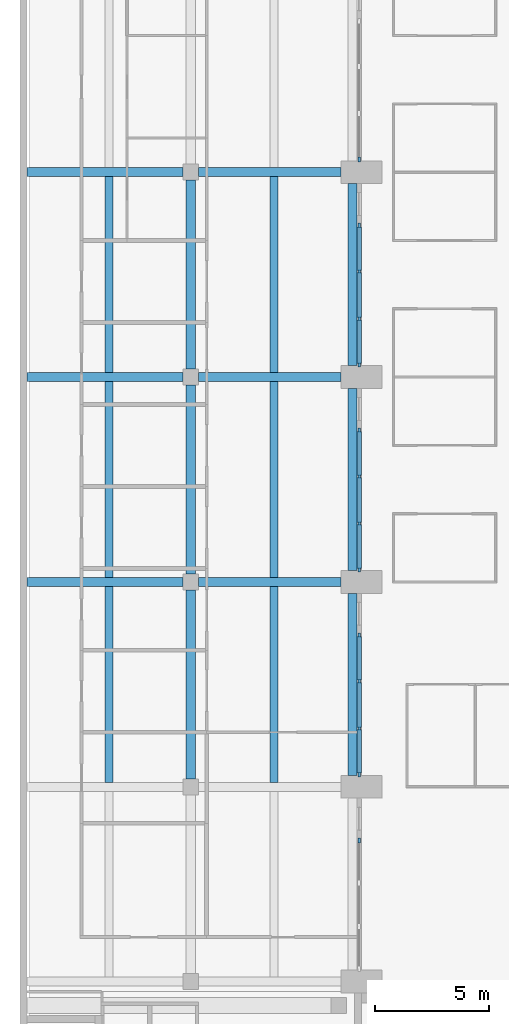
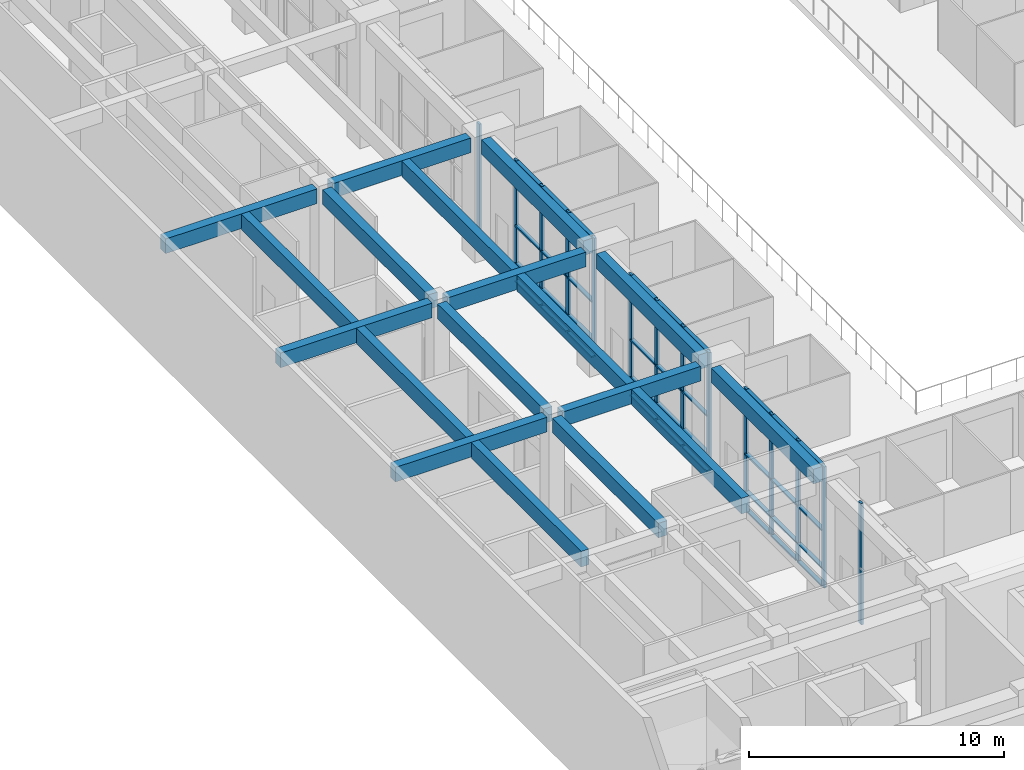
# One storey, part 13 of 51: 50 members, 18 beams, 5 elements without a shape of their own.
"""IFC4 building model written with IfcOpenShell, lengths in metres."""

from ifc_helpers import new_model, si_unit, direction, frame, origin, origin_2d, place, context, subcontext, project, spatial, rectangle, extrude, material, material_profile, profile_set, type_object, element, aggregate, save


model = new_model("IFC4")

# Units and contexts
model_context = context("Model", 3, precision=1e-05, world=origin(), true_north=direction((0.0, 1.0)))
body_context = subcontext(model_context, "Body", "Model", "MODEL_VIEW")
ifc_project = project(units=[si_unit("LENGTHUNIT", "METRE"), si_unit("AREAUNIT", "SQUARE_METRE"), si_unit("VOLUMEUNIT", "CUBIC_METRE"), si_unit("PLANEANGLEUNIT", "RADIAN"), si_unit("MASSUNIT", "GRAM", prefix="KILO")], contexts=[model_context])

# Site, building, storey
site_placement = place(None, origin())
site = spatial("IfcSite", under=ifc_project, at=site_placement, CompositionType="ELEMENT")
building_placement = place(site_placement, origin())
building = spatial("IfcBuilding", under=site, at=building_placement, Name="Elmora Arch Market Hall", CompositionType="ELEMENT")
storey_placement = place(building_placement, origin())
storey = spatial("IfcBuildingStorey", under=building, at=storey_placement, Name="L00", CompositionType="ELEMENT", Elevation=0.0)

# Curtain wall, member
ifc_material_1 = material(Name="Aluminium", Category="aluminium")
curtain_wall_type = type_object("IfcCurtainWallType", Name="Shopfront curtain wall", PredefinedType="NOTDEFINED", material=ifc_material_1)
curtain_wall_1_placement = place(storey_placement, origin())
curtain_wall_1 = element("IfcCurtainWall", 1, at=curtain_wall_1_placement, inside=storey, type_object=curtain_wall_type, Name="Shopfront W 1", PredefinedType="NOTDEFINED")
ifc_material_2 = material(Name="Aluminium", Category="aluminium")
ifc_material_profile_1 = material_profile(ifc_material_2, rectangle(XDim=0.10009765625, YDim=0.219970703125, at=origin_2d()), Name="AL 100x220")
ifc_profile_set_1 = profile_set([ifc_material_profile_1], Name="Aluminium")
member_type_1 = type_object("IfcMemberType", Name="Mullion 100x220", PredefinedType="MULLION", material=ifc_profile_set_1)
member_1_placement = place(storey_placement, frame((14.89990234375, 33.64990234375, 0.0), z_axis=(0.0, 0.0, 1.0), x_axis=(-1.0, 0.0, 0.0)))
member_1 = element("IfcMember", 2, at=member_1_placement, type_object=member_type_1, Name="CW3 mullion 4", PredefinedType="MULLION", context=body_context, shape_type="SweptSolid", body=[
    extrude(rectangle(XDim=0.10009765625, YDim=0.219970703125, at=origin_2d()), origin(), (0.0, 0.0, 1.0), 5.800048828125),
])
aggregate(curtain_wall_1, [member_1])

# Curtain wall, members
curtain_wall_2_placement = place(storey_placement, origin())
curtain_wall_2 = element("IfcCurtainWall", 3, at=curtain_wall_2_placement, inside=storey, type_object=curtain_wall_type, Name="Shopfront W 2", PredefinedType="NOTDEFINED")
member_2_placement = place(storey_placement, frame((14.89990234375, 36.550048828125, 0.0), z_axis=(0.0, 0.0, 1.0), x_axis=(-1.0, 0.0, 0.0)))
member_2 = element("IfcMember", 4, at=member_2_placement, type_object=member_type_1, Name="CW3 mullion 1", PredefinedType="MULLION", context=body_context, shape_type="SweptSolid", body=[
    extrude(rectangle(XDim=0.10009765625, YDim=0.219970703125, at=origin_2d()), origin(), (0.0, 0.0, 1.0), 5.800048828125),
])
member_3_placement = place(storey_placement, frame((14.89990234375, 38.566650390625, 0.0), z_axis=(0.0, 0.0, 1.0), x_axis=(-1.0, 0.0, 0.0)))
member_3 = element("IfcMember", 5, at=member_3_placement, type_object=member_type_1, Name="CW3 mullion 2", PredefinedType="MULLION", context=body_context, shape_type="SweptSolid", body=[
    extrude(rectangle(XDim=0.10009765625, YDim=0.219970703125, at=origin_2d()), origin(), (0.0, 0.0, 1.0), 5.800048828125),
])
member_4_placement = place(storey_placement, frame((14.89990234375, 40.63330078125, 0.0), z_axis=(0.0, 0.0, 1.0), x_axis=(-1.0, 0.0, 0.0)))
member_4 = element("IfcMember", 6, at=member_4_placement, type_object=member_type_1, Name="CW3 mullion 3", PredefinedType="MULLION", context=body_context, shape_type="SweptSolid", body=[
    extrude(rectangle(XDim=0.10009765625, YDim=0.219970703125, at=origin_2d()), origin(), (0.0, 0.0, 1.0), 5.800048828125),
])
member_5_placement = place(storey_placement, frame((14.89990234375, 42.64990234375, 0.0), z_axis=(0.0, 0.0, 1.0), x_axis=(-1.0, 0.0, 0.0)))
member_5 = element("IfcMember", 7, at=member_5_placement, type_object=member_type_1, Name="CW3 mullion 4", PredefinedType="MULLION", context=body_context, shape_type="SweptSolid", body=[
    extrude(rectangle(XDim=0.10009765625, YDim=0.219970703125, at=origin_2d()), origin(), (0.0, 0.0, 1.0), 5.800048828125),
])

curtain_wall_3_placement = place(storey_placement, origin())
curtain_wall_3 = element("IfcCurtainWall", 8, at=curtain_wall_3_placement, inside=storey, type_object=curtain_wall_type, Name="Shopfront W 3", PredefinedType="NOTDEFINED")
member_6_placement = place(storey_placement, frame((14.89990234375, 45.550048828125, 0.0), z_axis=(0.0, 0.0, 1.0), x_axis=(-1.0, 0.0, 0.0)))
member_6 = element("IfcMember", 9, at=member_6_placement, type_object=member_type_1, Name="CW3 mullion 1", PredefinedType="MULLION", context=body_context, shape_type="SweptSolid", body=[
    extrude(rectangle(XDim=0.10009765625, YDim=0.219970703125, at=origin_2d()), origin(), (0.0, 0.0, 1.0), 5.800048828125),
])
member_7_placement = place(storey_placement, frame((14.89990234375, 47.566650390625, 0.0), z_axis=(0.0, 0.0, 1.0), x_axis=(-1.0, 0.0, 0.0)))
member_7 = element("IfcMember", 10, at=member_7_placement, type_object=member_type_1, Name="CW3 mullion 2", PredefinedType="MULLION", context=body_context, shape_type="SweptSolid", body=[
    extrude(rectangle(XDim=0.10009765625, YDim=0.219970703125, at=origin_2d()), origin(), (0.0, 0.0, 1.0), 5.800048828125),
])
member_8_placement = place(storey_placement, frame((14.89990234375, 49.63330078125, 0.0), z_axis=(0.0, 0.0, 1.0), x_axis=(-1.0, 0.0, 0.0)))
member_8 = element("IfcMember", 11, at=member_8_placement, type_object=member_type_1, Name="CW3 mullion 3", PredefinedType="MULLION", context=body_context, shape_type="SweptSolid", body=[
    extrude(rectangle(XDim=0.10009765625, YDim=0.219970703125, at=origin_2d()), origin(), (0.0, 0.0, 1.0), 5.800048828125),
])
member_9_placement = place(storey_placement, frame((14.89990234375, 51.64990234375, 0.0), z_axis=(0.0, 0.0, 1.0), x_axis=(-1.0, 0.0, 0.0)))
member_9 = element("IfcMember", 12, at=member_9_placement, type_object=member_type_1, Name="CW3 mullion 4", PredefinedType="MULLION", context=body_context, shape_type="SweptSolid", body=[
    extrude(rectangle(XDim=0.10009765625, YDim=0.219970703125, at=origin_2d()), origin(), (0.0, 0.0, 1.0), 5.800048828125),
])

curtain_wall_4_placement = place(storey_placement, origin())
curtain_wall_4 = element("IfcCurtainWall", 13, at=curtain_wall_4_placement, inside=storey, type_object=curtain_wall_type, Name="Shopfront W 4", PredefinedType="NOTDEFINED")
member_10_placement = place(storey_placement, frame((14.89990234375, 54.550048828125, 0.0), z_axis=(0.0, 0.0, 1.0), x_axis=(-1.0, 0.0, 0.0)))
member_10 = element("IfcMember", 14, at=member_10_placement, type_object=member_type_1, Name="CW3 mullion 1", PredefinedType="MULLION", context=body_context, shape_type="SweptSolid", body=[
    extrude(rectangle(XDim=0.10009765625, YDim=0.219970703125, at=origin_2d()), origin(), (0.0, 0.0, 1.0), 5.800048828125),
])
member_11_placement = place(storey_placement, frame((14.89990234375, 56.566650390625, 0.0), z_axis=(0.0, 0.0, 1.0), x_axis=(-1.0, 0.0, 0.0)))
member_11 = element("IfcMember", 15, at=member_11_placement, type_object=member_type_1, Name="CW3 mullion 2", PredefinedType="MULLION", context=body_context, shape_type="SweptSolid", body=[
    extrude(rectangle(XDim=0.10009765625, YDim=0.219970703125, at=origin_2d()), origin(), (0.0, 0.0, 1.0), 5.800048828125),
])
member_12_placement = place(storey_placement, frame((14.89990234375, 58.63330078125, 0.0), z_axis=(0.0, 0.0, 1.0), x_axis=(-1.0, 0.0, 0.0)))
member_12 = element("IfcMember", 16, at=member_12_placement, type_object=member_type_1, Name="CW3 mullion 3", PredefinedType="MULLION", context=body_context, shape_type="SweptSolid", body=[
    extrude(rectangle(XDim=0.10009765625, YDim=0.219970703125, at=origin_2d()), origin(), (0.0, 0.0, 1.0), 5.800048828125),
])
member_13_placement = place(storey_placement, frame((14.89990234375, 60.64990234375, 0.0), z_axis=(0.0, 0.0, 1.0), x_axis=(-1.0, 0.0, 0.0)))
member_13 = element("IfcMember", 17, at=member_13_placement, type_object=member_type_1, Name="CW3 mullion 4", PredefinedType="MULLION", context=body_context, shape_type="SweptSolid", body=[
    extrude(rectangle(XDim=0.10009765625, YDim=0.219970703125, at=origin_2d()), origin(), (0.0, 0.0, 1.0), 5.800048828125),
])

# Curtain wall, member
curtain_wall_5_placement = place(storey_placement, origin())
curtain_wall_5 = element("IfcCurtainWall", 18, at=curtain_wall_5_placement, inside=storey, type_object=curtain_wall_type, Name="Shopfront W 5", PredefinedType="NOTDEFINED")
member_14_placement = place(storey_placement, frame((14.89990234375, 63.550048828125, 0.0), z_axis=(0.0, 0.0, 1.0), x_axis=(-1.0, 0.0, 0.0)))
member_14 = element("IfcMember", 19, at=member_14_placement, type_object=member_type_1, Name="CW3 mullion 1", PredefinedType="MULLION", context=body_context, shape_type="SweptSolid", body=[
    extrude(rectangle(XDim=0.10009765625, YDim=0.219970703125, at=origin_2d()), origin(), (0.0, 0.0, 1.0), 5.800048828125),
])
aggregate(curtain_wall_5, [member_14])

# Member
ifc_material_3 = material(Name="Aluminium", Category="aluminium")
ifc_material_profile_2 = material_profile(ifc_material_3, rectangle(XDim=0.179931640625, YDim=0.074951171875, at=origin_2d()), Name="AL 180x75")
ifc_profile_set_2 = profile_set([ifc_material_profile_2], Name="Aluminium")
member_type_2 = type_object("IfcMemberType", Name="Transom 180x75", PredefinedType="USERDEFINED", material=ifc_profile_set_2)
member_15_placement = place(storey_placement, frame((14.89990234375, 36.60009765625, 0.03759765625), z_axis=(0.0, 1.0, 0.0), x_axis=(-1.0, 0.0, 0.0)))
member_15 = element("IfcMember", 20, at=member_15_placement, type_object=member_type_2, Name="CW3 transom 1.1", ObjectType="TRANSOM", PredefinedType="USERDEFINED", context=body_context, shape_type="SweptSolid", body=[
    extrude(rectangle(XDim=0.179931640625, YDim=0.074951171875, at=origin_2d()), origin(), (0.0, 0.0, 1.0), 1.91650390625),
])

member_16_placement = place(storey_placement, frame((14.89990234375, 36.60009765625, 0.89990234375), z_axis=(0.0, 1.0, 0.0), x_axis=(-1.0, 0.0, 0.0)))
member_16 = element("IfcMember", 21, at=member_16_placement, type_object=member_type_2, Name="CW3 transom 1.2", ObjectType="TRANSOM", PredefinedType="USERDEFINED", context=body_context, shape_type="SweptSolid", body=[
    extrude(rectangle(XDim=0.179931640625, YDim=0.074951171875, at=origin_2d()), origin(), (0.0, 0.0, 1.0), 1.91650390625),
])

member_17_placement = place(storey_placement, frame((14.89990234375, 36.60009765625, 2.699951171875), z_axis=(0.0, 1.0, 0.0), x_axis=(-1.0, 0.0, 0.0)))
member_17 = element("IfcMember", 22, at=member_17_placement, type_object=member_type_2, Name="CW3 transom 1.3", ObjectType="TRANSOM", PredefinedType="USERDEFINED", context=body_context, shape_type="SweptSolid", body=[
    extrude(rectangle(XDim=0.179931640625, YDim=0.074951171875, at=origin_2d()), origin(), (0.0, 0.0, 1.0), 1.91650390625),
])

member_18_placement = place(storey_placement, frame((14.89990234375, 36.60009765625, 5.762451171875), z_axis=(0.0, 1.0, 0.0), x_axis=(-1.0, 0.0, 0.0)))
member_18 = element("IfcMember", 23, at=member_18_placement, type_object=member_type_2, Name="CW3 transom 1.4", ObjectType="TRANSOM", PredefinedType="USERDEFINED", context=body_context, shape_type="SweptSolid", body=[
    extrude(rectangle(XDim=0.179931640625, YDim=0.074951171875, at=origin_2d()), origin(), (0.0, 0.0, 1.0), 1.91650390625),
])

member_19_placement = place(storey_placement, frame((14.89990234375, 38.61669921875, 0.03759765625), z_axis=(0.0, 1.0, 0.0), x_axis=(-1.0, 0.0, 0.0)))
member_19 = element("IfcMember", 24, at=member_19_placement, type_object=member_type_2, Name="CW3 transom 2.1", ObjectType="TRANSOM", PredefinedType="USERDEFINED", context=body_context, shape_type="SweptSolid", body=[
    extrude(rectangle(XDim=0.179931640625, YDim=0.074951171875, at=origin_2d()), origin(), (0.0, 0.0, 1.0), 1.966552734375),
])

member_20_placement = place(storey_placement, frame((14.89990234375, 38.61669921875, 0.89990234375), z_axis=(0.0, 1.0, 0.0), x_axis=(-1.0, 0.0, 0.0)))
member_20 = element("IfcMember", 25, at=member_20_placement, type_object=member_type_2, Name="CW3 transom 2.2", ObjectType="TRANSOM", PredefinedType="USERDEFINED", context=body_context, shape_type="SweptSolid", body=[
    extrude(rectangle(XDim=0.179931640625, YDim=0.074951171875, at=origin_2d()), origin(), (0.0, 0.0, 1.0), 1.966552734375),
])

member_21_placement = place(storey_placement, frame((14.89990234375, 38.61669921875, 2.699951171875), z_axis=(0.0, 1.0, 0.0), x_axis=(-1.0, 0.0, 0.0)))
member_21 = element("IfcMember", 26, at=member_21_placement, type_object=member_type_2, Name="CW3 transom 2.3", ObjectType="TRANSOM", PredefinedType="USERDEFINED", context=body_context, shape_type="SweptSolid", body=[
    extrude(rectangle(XDim=0.179931640625, YDim=0.074951171875, at=origin_2d()), origin(), (0.0, 0.0, 1.0), 1.966552734375),
])

member_22_placement = place(storey_placement, frame((14.89990234375, 38.61669921875, 5.762451171875), z_axis=(0.0, 1.0, 0.0), x_axis=(-1.0, 0.0, 0.0)))
member_22 = element("IfcMember", 27, at=member_22_placement, type_object=member_type_2, Name="CW3 transom 2.4", ObjectType="TRANSOM", PredefinedType="USERDEFINED", context=body_context, shape_type="SweptSolid", body=[
    extrude(rectangle(XDim=0.179931640625, YDim=0.074951171875, at=origin_2d()), origin(), (0.0, 0.0, 1.0), 1.966552734375),
])

member_23_placement = place(storey_placement, frame((14.89990234375, 40.683349609375, 0.03759765625), z_axis=(0.0, 1.0, 0.0), x_axis=(-1.0, 0.0, 0.0)))
member_23 = element("IfcMember", 28, at=member_23_placement, type_object=member_type_2, Name="CW3 transom 3.1", ObjectType="TRANSOM", PredefinedType="USERDEFINED", context=body_context, shape_type="SweptSolid", body=[
    extrude(rectangle(XDim=0.179931640625, YDim=0.074951171875, at=origin_2d()), origin(), (0.0, 0.0, 1.0), 1.916748046875),
])

member_24_placement = place(storey_placement, frame((14.89990234375, 40.683349609375, 0.89990234375), z_axis=(0.0, 1.0, 0.0), x_axis=(-1.0, 0.0, 0.0)))
member_24 = element("IfcMember", 29, at=member_24_placement, type_object=member_type_2, Name="CW3 transom 3.2", ObjectType="TRANSOM", PredefinedType="USERDEFINED", context=body_context, shape_type="SweptSolid", body=[
    extrude(rectangle(XDim=0.179931640625, YDim=0.074951171875, at=origin_2d()), origin(), (0.0, 0.0, 1.0), 1.916748046875),
])

member_25_placement = place(storey_placement, frame((14.89990234375, 40.683349609375, 2.699951171875), z_axis=(0.0, 1.0, 0.0), x_axis=(-1.0, 0.0, 0.0)))
member_25 = element("IfcMember", 30, at=member_25_placement, type_object=member_type_2, Name="CW3 transom 3.3", ObjectType="TRANSOM", PredefinedType="USERDEFINED", context=body_context, shape_type="SweptSolid", body=[
    extrude(rectangle(XDim=0.179931640625, YDim=0.074951171875, at=origin_2d()), origin(), (0.0, 0.0, 1.0), 1.916748046875),
])

member_26_placement = place(storey_placement, frame((14.89990234375, 40.683349609375, 5.762451171875), z_axis=(0.0, 1.0, 0.0), x_axis=(-1.0, 0.0, 0.0)))
member_26 = element("IfcMember", 31, at=member_26_placement, type_object=member_type_2, Name="CW3 transom 3.4", ObjectType="TRANSOM", PredefinedType="USERDEFINED", context=body_context, shape_type="SweptSolid", body=[
    extrude(rectangle(XDim=0.179931640625, YDim=0.074951171875, at=origin_2d()), origin(), (0.0, 0.0, 1.0), 1.916748046875),
])

aggregate(curtain_wall_2, [member_2, member_3, member_4, member_5, member_15, member_16, member_17, member_18, member_19, member_20, member_21, member_22, member_23, member_24, member_25, member_26])

member_27_placement = place(storey_placement, frame((14.89990234375, 45.60009765625, 0.03759765625), z_axis=(0.0, 1.0, 0.0), x_axis=(-1.0, 0.0, 0.0)))
member_27 = element("IfcMember", 32, at=member_27_placement, type_object=member_type_2, Name="CW3 transom 1.1", ObjectType="TRANSOM", PredefinedType="USERDEFINED", context=body_context, shape_type="SweptSolid", body=[
    extrude(rectangle(XDim=0.179931640625, YDim=0.074951171875, at=origin_2d()), origin(), (0.0, 0.0, 1.0), 1.91650390625),
])

member_28_placement = place(storey_placement, frame((14.89990234375, 45.60009765625, 0.89990234375), z_axis=(0.0, 1.0, 0.0), x_axis=(-1.0, 0.0, 0.0)))
member_28 = element("IfcMember", 33, at=member_28_placement, type_object=member_type_2, Name="CW3 transom 1.2", ObjectType="TRANSOM", PredefinedType="USERDEFINED", context=body_context, shape_type="SweptSolid", body=[
    extrude(rectangle(XDim=0.179931640625, YDim=0.074951171875, at=origin_2d()), origin(), (0.0, 0.0, 1.0), 1.91650390625),
])

member_29_placement = place(storey_placement, frame((14.89990234375, 45.60009765625, 2.699951171875), z_axis=(0.0, 1.0, 0.0), x_axis=(-1.0, 0.0, 0.0)))
member_29 = element("IfcMember", 34, at=member_29_placement, type_object=member_type_2, Name="CW3 transom 1.3", ObjectType="TRANSOM", PredefinedType="USERDEFINED", context=body_context, shape_type="SweptSolid", body=[
    extrude(rectangle(XDim=0.179931640625, YDim=0.074951171875, at=origin_2d()), origin(), (0.0, 0.0, 1.0), 1.91650390625),
])

member_30_placement = place(storey_placement, frame((14.89990234375, 45.60009765625, 5.762451171875), z_axis=(0.0, 1.0, 0.0), x_axis=(-1.0, 0.0, 0.0)))
member_30 = element("IfcMember", 35, at=member_30_placement, type_object=member_type_2, Name="CW3 transom 1.4", ObjectType="TRANSOM", PredefinedType="USERDEFINED", context=body_context, shape_type="SweptSolid", body=[
    extrude(rectangle(XDim=0.179931640625, YDim=0.074951171875, at=origin_2d()), origin(), (0.0, 0.0, 1.0), 1.91650390625),
])

member_31_placement = place(storey_placement, frame((14.89990234375, 47.61669921875, 0.03759765625), z_axis=(0.0, 1.0, 0.0), x_axis=(-1.0, 0.0, 0.0)))
member_31 = element("IfcMember", 36, at=member_31_placement, type_object=member_type_2, Name="CW3 transom 2.1", ObjectType="TRANSOM", PredefinedType="USERDEFINED", context=body_context, shape_type="SweptSolid", body=[
    extrude(rectangle(XDim=0.179931640625, YDim=0.074951171875, at=origin_2d()), origin(), (0.0, 0.0, 1.0), 1.966552734375),
])

member_32_placement = place(storey_placement, frame((14.89990234375, 47.61669921875, 0.89990234375), z_axis=(0.0, 1.0, 0.0), x_axis=(-1.0, 0.0, 0.0)))
member_32 = element("IfcMember", 37, at=member_32_placement, type_object=member_type_2, Name="CW3 transom 2.2", ObjectType="TRANSOM", PredefinedType="USERDEFINED", context=body_context, shape_type="SweptSolid", body=[
    extrude(rectangle(XDim=0.179931640625, YDim=0.074951171875, at=origin_2d()), origin(), (0.0, 0.0, 1.0), 1.966552734375),
])

member_33_placement = place(storey_placement, frame((14.89990234375, 47.61669921875, 2.699951171875), z_axis=(0.0, 1.0, 0.0), x_axis=(-1.0, 0.0, 0.0)))
member_33 = element("IfcMember", 38, at=member_33_placement, type_object=member_type_2, Name="CW3 transom 2.3", ObjectType="TRANSOM", PredefinedType="USERDEFINED", context=body_context, shape_type="SweptSolid", body=[
    extrude(rectangle(XDim=0.179931640625, YDim=0.074951171875, at=origin_2d()), origin(), (0.0, 0.0, 1.0), 1.966552734375),
])

member_34_placement = place(storey_placement, frame((14.89990234375, 47.61669921875, 5.762451171875), z_axis=(0.0, 1.0, 0.0), x_axis=(-1.0, 0.0, 0.0)))
member_34 = element("IfcMember", 39, at=member_34_placement, type_object=member_type_2, Name="CW3 transom 2.4", ObjectType="TRANSOM", PredefinedType="USERDEFINED", context=body_context, shape_type="SweptSolid", body=[
    extrude(rectangle(XDim=0.179931640625, YDim=0.074951171875, at=origin_2d()), origin(), (0.0, 0.0, 1.0), 1.966552734375),
])

member_35_placement = place(storey_placement, frame((14.89990234375, 49.683349609375, 0.03759765625), z_axis=(0.0, 1.0, 0.0), x_axis=(-1.0, 0.0, 0.0)))
member_35 = element("IfcMember", 40, at=member_35_placement, type_object=member_type_2, Name="CW3 transom 3.1", ObjectType="TRANSOM", PredefinedType="USERDEFINED", context=body_context, shape_type="SweptSolid", body=[
    extrude(rectangle(XDim=0.179931640625, YDim=0.074951171875, at=origin_2d()), origin(), (0.0, 0.0, 1.0), 1.916748046875),
])

member_36_placement = place(storey_placement, frame((14.89990234375, 49.683349609375, 0.89990234375), z_axis=(0.0, 1.0, 0.0), x_axis=(-1.0, 0.0, 0.0)))
member_36 = element("IfcMember", 41, at=member_36_placement, type_object=member_type_2, Name="CW3 transom 3.2", ObjectType="TRANSOM", PredefinedType="USERDEFINED", context=body_context, shape_type="SweptSolid", body=[
    extrude(rectangle(XDim=0.179931640625, YDim=0.074951171875, at=origin_2d()), origin(), (0.0, 0.0, 1.0), 1.916748046875),
])

member_37_placement = place(storey_placement, frame((14.89990234375, 49.683349609375, 2.699951171875), z_axis=(0.0, 1.0, 0.0), x_axis=(-1.0, 0.0, 0.0)))
member_37 = element("IfcMember", 42, at=member_37_placement, type_object=member_type_2, Name="CW3 transom 3.3", ObjectType="TRANSOM", PredefinedType="USERDEFINED", context=body_context, shape_type="SweptSolid", body=[
    extrude(rectangle(XDim=0.179931640625, YDim=0.074951171875, at=origin_2d()), origin(), (0.0, 0.0, 1.0), 1.916748046875),
])

member_38_placement = place(storey_placement, frame((14.89990234375, 49.683349609375, 5.762451171875), z_axis=(0.0, 1.0, 0.0), x_axis=(-1.0, 0.0, 0.0)))
member_38 = element("IfcMember", 43, at=member_38_placement, type_object=member_type_2, Name="CW3 transom 3.4", ObjectType="TRANSOM", PredefinedType="USERDEFINED", context=body_context, shape_type="SweptSolid", body=[
    extrude(rectangle(XDim=0.179931640625, YDim=0.074951171875, at=origin_2d()), origin(), (0.0, 0.0, 1.0), 1.916748046875),
])

aggregate(curtain_wall_3, [member_6, member_7, member_8, member_9, member_27, member_28, member_29, member_30, member_31, member_32, member_33, member_34, member_35, member_36, member_37, member_38])

member_39_placement = place(storey_placement, frame((14.89990234375, 54.60009765625, 0.03759765625), z_axis=(0.0, 1.0, 0.0), x_axis=(-1.0, 0.0, 0.0)))
member_39 = element("IfcMember", 44, at=member_39_placement, type_object=member_type_2, Name="CW3 transom 1.1", ObjectType="TRANSOM", PredefinedType="USERDEFINED", context=body_context, shape_type="SweptSolid", body=[
    extrude(rectangle(XDim=0.179931640625, YDim=0.074951171875, at=origin_2d()), origin(), (0.0, 0.0, 1.0), 1.91650390625),
])

member_40_placement = place(storey_placement, frame((14.89990234375, 54.60009765625, 0.89990234375), z_axis=(0.0, 1.0, 0.0), x_axis=(-1.0, 0.0, 0.0)))
member_40 = element("IfcMember", 45, at=member_40_placement, type_object=member_type_2, Name="CW3 transom 1.2", ObjectType="TRANSOM", PredefinedType="USERDEFINED", context=body_context, shape_type="SweptSolid", body=[
    extrude(rectangle(XDim=0.179931640625, YDim=0.074951171875, at=origin_2d()), origin(), (0.0, 0.0, 1.0), 1.91650390625),
])

member_41_placement = place(storey_placement, frame((14.89990234375, 54.60009765625, 2.699951171875), z_axis=(0.0, 1.0, 0.0), x_axis=(-1.0, 0.0, 0.0)))
member_41 = element("IfcMember", 46, at=member_41_placement, type_object=member_type_2, Name="CW3 transom 1.3", ObjectType="TRANSOM", PredefinedType="USERDEFINED", context=body_context, shape_type="SweptSolid", body=[
    extrude(rectangle(XDim=0.179931640625, YDim=0.074951171875, at=origin_2d()), origin(), (0.0, 0.0, 1.0), 1.91650390625),
])

member_42_placement = place(storey_placement, frame((14.89990234375, 54.60009765625, 5.762451171875), z_axis=(0.0, 1.0, 0.0), x_axis=(-1.0, 0.0, 0.0)))
member_42 = element("IfcMember", 47, at=member_42_placement, type_object=member_type_2, Name="CW3 transom 1.4", ObjectType="TRANSOM", PredefinedType="USERDEFINED", context=body_context, shape_type="SweptSolid", body=[
    extrude(rectangle(XDim=0.179931640625, YDim=0.074951171875, at=origin_2d()), origin(), (0.0, 0.0, 1.0), 1.91650390625),
])

member_43_placement = place(storey_placement, frame((14.89990234375, 56.61669921875, 0.03759765625), z_axis=(0.0, 1.0, 0.0), x_axis=(-1.0, 0.0, 0.0)))
member_43 = element("IfcMember", 48, at=member_43_placement, type_object=member_type_2, Name="CW3 transom 2.1", ObjectType="TRANSOM", PredefinedType="USERDEFINED", context=body_context, shape_type="SweptSolid", body=[
    extrude(rectangle(XDim=0.179931640625, YDim=0.074951171875, at=origin_2d()), origin(), (0.0, 0.0, 1.0), 1.966552734375),
])

member_44_placement = place(storey_placement, frame((14.89990234375, 56.61669921875, 0.89990234375), z_axis=(0.0, 1.0, 0.0), x_axis=(-1.0, 0.0, 0.0)))
member_44 = element("IfcMember", 49, at=member_44_placement, type_object=member_type_2, Name="CW3 transom 2.2", ObjectType="TRANSOM", PredefinedType="USERDEFINED", context=body_context, shape_type="SweptSolid", body=[
    extrude(rectangle(XDim=0.179931640625, YDim=0.074951171875, at=origin_2d()), origin(), (0.0, 0.0, 1.0), 1.966552734375),
])

member_45_placement = place(storey_placement, frame((14.89990234375, 56.61669921875, 2.699951171875), z_axis=(0.0, 1.0, 0.0), x_axis=(-1.0, 0.0, 0.0)))
member_45 = element("IfcMember", 50, at=member_45_placement, type_object=member_type_2, Name="CW3 transom 2.3", ObjectType="TRANSOM", PredefinedType="USERDEFINED", context=body_context, shape_type="SweptSolid", body=[
    extrude(rectangle(XDim=0.179931640625, YDim=0.074951171875, at=origin_2d()), origin(), (0.0, 0.0, 1.0), 1.966552734375),
])

member_46_placement = place(storey_placement, frame((14.89990234375, 56.61669921875, 5.762451171875), z_axis=(0.0, 1.0, 0.0), x_axis=(-1.0, 0.0, 0.0)))
member_46 = element("IfcMember", 51, at=member_46_placement, type_object=member_type_2, Name="CW3 transom 2.4", ObjectType="TRANSOM", PredefinedType="USERDEFINED", context=body_context, shape_type="SweptSolid", body=[
    extrude(rectangle(XDim=0.179931640625, YDim=0.074951171875, at=origin_2d()), origin(), (0.0, 0.0, 1.0), 1.966552734375),
])

member_47_placement = place(storey_placement, frame((14.89990234375, 58.683349609375, 0.03759765625), z_axis=(0.0, 1.0, 0.0), x_axis=(-1.0, 0.0, 0.0)))
member_47 = element("IfcMember", 52, at=member_47_placement, type_object=member_type_2, Name="CW3 transom 3.1", ObjectType="TRANSOM", PredefinedType="USERDEFINED", context=body_context, shape_type="SweptSolid", body=[
    extrude(rectangle(XDim=0.179931640625, YDim=0.074951171875, at=origin_2d()), origin(), (0.0, 0.0, 1.0), 1.916748046875),
])

member_48_placement = place(storey_placement, frame((14.89990234375, 58.683349609375, 0.89990234375), z_axis=(0.0, 1.0, 0.0), x_axis=(-1.0, 0.0, 0.0)))
member_48 = element("IfcMember", 53, at=member_48_placement, type_object=member_type_2, Name="CW3 transom 3.2", ObjectType="TRANSOM", PredefinedType="USERDEFINED", context=body_context, shape_type="SweptSolid", body=[
    extrude(rectangle(XDim=0.179931640625, YDim=0.074951171875, at=origin_2d()), origin(), (0.0, 0.0, 1.0), 1.916748046875),
])

member_49_placement = place(storey_placement, frame((14.89990234375, 58.683349609375, 2.699951171875), z_axis=(0.0, 1.0, 0.0), x_axis=(-1.0, 0.0, 0.0)))
member_49 = element("IfcMember", 54, at=member_49_placement, type_object=member_type_2, Name="CW3 transom 3.3", ObjectType="TRANSOM", PredefinedType="USERDEFINED", context=body_context, shape_type="SweptSolid", body=[
    extrude(rectangle(XDim=0.179931640625, YDim=0.074951171875, at=origin_2d()), origin(), (0.0, 0.0, 1.0), 1.916748046875),
])

member_50_placement = place(storey_placement, frame((14.89990234375, 58.683349609375, 5.762451171875), z_axis=(0.0, 1.0, 0.0), x_axis=(-1.0, 0.0, 0.0)))
member_50 = element("IfcMember", 55, at=member_50_placement, type_object=member_type_2, Name="CW3 transom 3.4", ObjectType="TRANSOM", PredefinedType="USERDEFINED", context=body_context, shape_type="SweptSolid", body=[
    extrude(rectangle(XDim=0.179931640625, YDim=0.074951171875, at=origin_2d()), origin(), (0.0, 0.0, 1.0), 1.916748046875),
])

aggregate(curtain_wall_4, [member_10, member_11, member_12, member_13, member_39, member_40, member_41, member_42, member_43, member_44, member_45, member_46, member_47, member_48, member_49, member_50])

# Beams
ifc_material_4 = material(Name="Concrete C32/40", Category="concrete")
ifc_material_profile_3 = material_profile(ifc_material_4, rectangle(XDim=0.39990234375, YDim=0.699951171875, at=origin_2d()), Name="Wing beam 400x700")
ifc_profile_set_3 = profile_set([ifc_material_profile_3], Name="Concrete C32/40")
beam_type_1 = type_object("IfcBeamType", Name="Wing beam 400x700", PredefinedType="BEAM", material=ifc_profile_set_3)
beam_1_placement = place(storey_placement, frame((0.300048828125, 45.0, 5.449951171875), z_axis=(1.0, 0.0, 0.0), x_axis=(0.0, 1.0, 0.0)))
element("IfcBeam", 56, at=beam_1_placement, inside=storey, type_object=beam_type_1, Name="Wing beam WR3 L00.1", PredefinedType="BEAM", context=body_context, shape_type="SweptSolid", body=[
    extrude(rectangle(XDim=0.39990234375, YDim=0.699951171875, at=origin_2d()), origin(), (0.0, 0.0, 1.0), 6.849853515625),
])
beam_2_placement = place(storey_placement, frame((7.85009765625, 45.0, 5.449951171875), z_axis=(1.0, 0.0, 0.0), x_axis=(0.0, 1.0, 0.0)))
element("IfcBeam", 57, at=beam_2_placement, inside=storey, type_object=beam_type_1, Name="Wing beam WR3 L00.2", PredefinedType="BEAM", context=body_context, shape_type="SweptSolid", body=[
    extrude(rectangle(XDim=0.39990234375, YDim=0.699951171875, at=origin_2d()), origin(), (0.0, 0.0, 1.0), 6.25),
])
beam_3_placement = place(storey_placement, frame((0.300048828125, 54.0, 5.449951171875), z_axis=(1.0, 0.0, 0.0), x_axis=(0.0, 1.0, 0.0)))
element("IfcBeam", 58, at=beam_3_placement, inside=storey, type_object=beam_type_1, Name="Wing beam WR4 L00.1", PredefinedType="BEAM", context=body_context, shape_type="SweptSolid", body=[
    extrude(rectangle(XDim=0.39990234375, YDim=0.699951171875, at=origin_2d()), origin(), (0.0, 0.0, 1.0), 6.849853515625),
])
beam_4_placement = place(storey_placement, frame((7.85009765625, 54.0, 5.449951171875), z_axis=(1.0, 0.0, 0.0), x_axis=(0.0, 1.0, 0.0)))
element("IfcBeam", 59, at=beam_4_placement, inside=storey, type_object=beam_type_1, Name="Wing beam WR4 L00.2", PredefinedType="BEAM", context=body_context, shape_type="SweptSolid", body=[
    extrude(rectangle(XDim=0.39990234375, YDim=0.699951171875, at=origin_2d()), origin(), (0.0, 0.0, 1.0), 6.25),
])
beam_5_placement = place(storey_placement, frame((0.300048828125, 63.0, 5.449951171875), z_axis=(1.0, 0.0, 0.0), x_axis=(0.0, 1.0, 0.0)))
element("IfcBeam", 60, at=beam_5_placement, inside=storey, type_object=beam_type_1, Name="Wing beam WR5 L00.1", PredefinedType="BEAM", context=body_context, shape_type="SweptSolid", body=[
    extrude(rectangle(XDim=0.39990234375, YDim=0.699951171875, at=origin_2d()), origin(), (0.0, 0.0, 1.0), 6.849853515625),
])
beam_6_placement = place(storey_placement, frame((7.85009765625, 63.0, 5.449951171875), z_axis=(1.0, 0.0, 0.0), x_axis=(0.0, 1.0, 0.0)))
element("IfcBeam", 61, at=beam_6_placement, inside=storey, type_object=beam_type_1, Name="Wing beam WR5 L00.2", PredefinedType="BEAM", context=body_context, shape_type="SweptSolid", body=[
    extrude(rectangle(XDim=0.39990234375, YDim=0.699951171875, at=origin_2d()), origin(), (0.0, 0.0, 1.0), 6.25),
])
for number, where, z_axis, x_axis, name in (
    (62, (7.5, 36.35009765625, 5.449951171875), (0.0, 1.0, 0.0), (-1.0, 0.0, 0.0), "Wing beam WG L00.2"),
    (63, (7.5, 45.35009765625, 5.449951171875), (0.0, 1.0, 0.0), (-1.0, 0.0, 0.0), "Wing beam WG L00.3"),
    (64, (7.5, 54.35009765625, 5.449951171875), (0.0, 1.0, 0.0), (-1.0, 0.0, 0.0), "Wing beam WG L00.4"),
):
    element("IfcBeam", number, at=place(storey_placement, frame(where, z_axis=z_axis, x_axis=x_axis)), inside=storey, type_object=beam_type_1, Name=name, PredefinedType="BEAM", context=body_context, shape_type="SweptSolid", body=[
        extrude(rectangle(XDim=0.39990234375, YDim=0.699951171875, at=origin_2d()), origin(), (0.0, 0.0, 1.0), 8.2998046875),
    ])
for number, where, z_axis, x_axis, name in (
    (65, (14.60009765625, 36.5, 5.449951171875), (0.0, 1.0, 0.0), (-1.0, 0.0, 0.0), "Wing beam WEB L00.2"),
    (66, (14.60009765625, 45.5, 5.449951171875), (0.0, 1.0, 0.0), (-1.0, 0.0, 0.0), "Wing beam WEB L00.3"),
    (67, (14.60009765625, 54.5, 5.449951171875), (0.0, 1.0, 0.0), (-1.0, 0.0, 0.0), "Wing beam WEB L00.4"),
):
    element("IfcBeam", number, at=place(storey_placement, frame(where, z_axis=z_axis, x_axis=x_axis)), inside=storey, type_object=beam_type_1, Name=name, PredefinedType="BEAM", context=body_context, shape_type="SweptSolid", body=[
        extrude(rectangle(XDim=0.39990234375, YDim=0.699951171875, at=origin_2d()), origin(), (0.0, 0.0, 1.0), 8.0),
    ])
ifc_material_5 = material(Name="Concrete C32/40", Category="concrete")
ifc_material_profile_4 = material_profile(ifc_material_5, rectangle(XDim=0.35009765625, YDim=0.75, at=origin_2d()), Name="Wing joist 350x750")
ifc_profile_set_4 = profile_set([ifc_material_profile_4], Name="Concrete C32/40")
beam_type_2 = type_object("IfcBeamType", Name="Wing joist 350x750", PredefinedType="JOIST", material=ifc_profile_set_4)
for number, where, z_axis, x_axis, name in (
    (68, (3.89990234375, 36.199951171875, 5.425048828125), (0.0, 1.0, 0.0), (-1.0, 0.0, 0.0), "Wing joist WJ1 L00.2"),
    (69, (3.89990234375, 45.199951171875, 5.425048828125), (0.0, 1.0, 0.0), (-1.0, 0.0, 0.0), "Wing joist WJ1 L00.3"),
    (70, (3.89990234375, 54.199951171875, 5.425048828125), (0.0, 1.0, 0.0), (-1.0, 0.0, 0.0), "Wing joist WJ1 L00.4"),
    (71, (11.14990234375, 36.199951171875, 5.425048828125), (0.0, 1.0, 0.0), (-1.0, 0.0, 0.0), "Wing joist WJ2 L00.2"),
    (72, (11.14990234375, 45.199951171875, 5.425048828125), (0.0, 1.0, 0.0), (-1.0, 0.0, 0.0), "Wing joist WJ2 L00.3"),
    (73, (11.14990234375, 54.199951171875, 5.425048828125), (0.0, 1.0, 0.0), (-1.0, 0.0, 0.0), "Wing joist WJ2 L00.4"),
):
    element("IfcBeam", number, at=place(storey_placement, frame(where, z_axis=z_axis, x_axis=x_axis)), inside=storey, type_object=beam_type_2, Name=name, PredefinedType="JOIST", context=body_context, shape_type="SweptSolid", body=[
        extrude(rectangle(XDim=0.35009765625, YDim=0.75, at=origin_2d()), origin(), (0.0, 0.0, 1.0), 8.60009765625),
    ])

save(model, "model.ifc")
